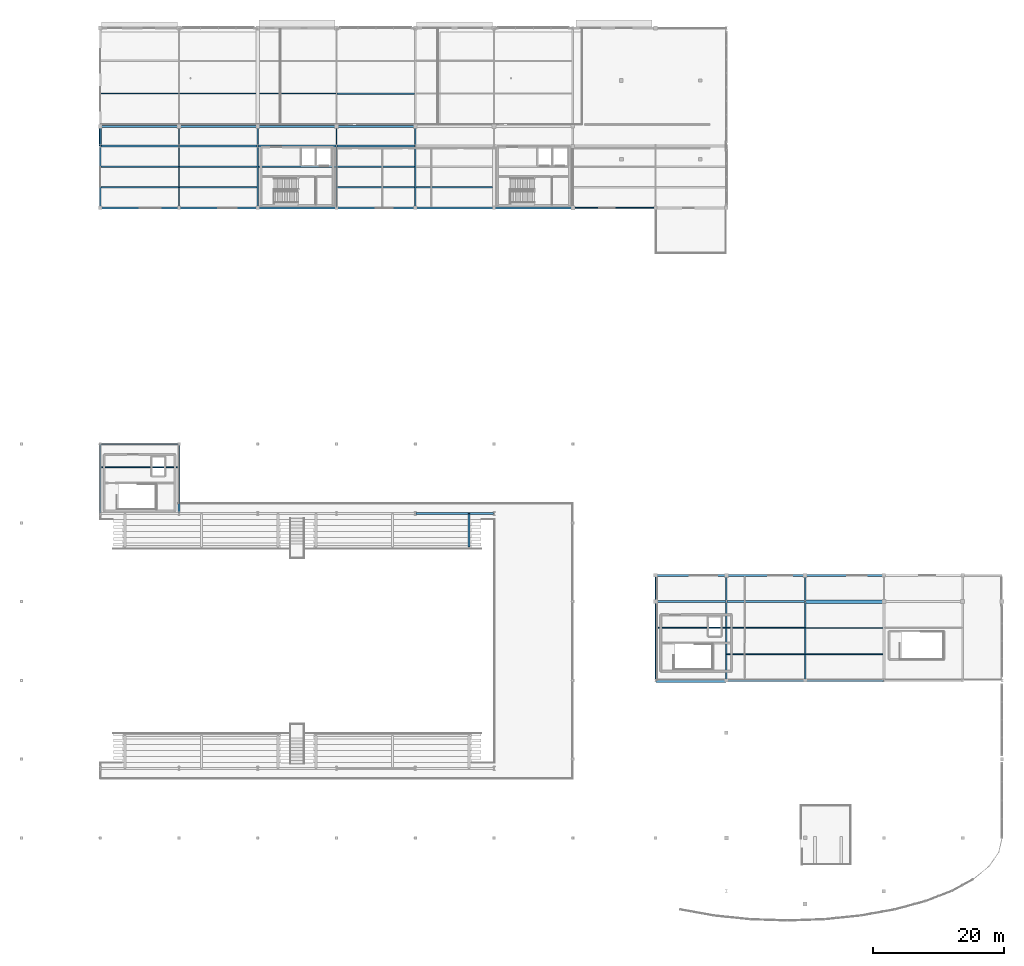
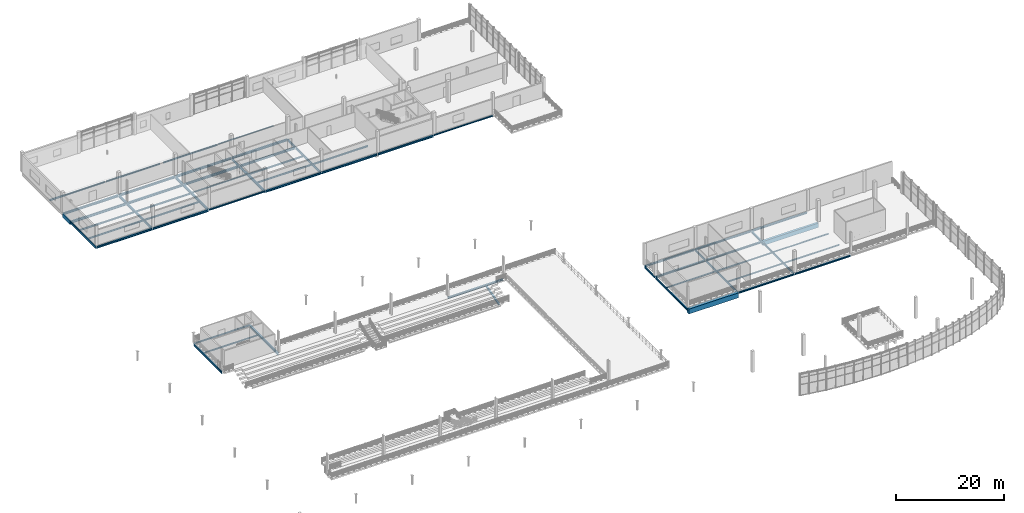
# One storey, part 20 of 52: 63 beams.
"""IFC4 building model written with IfcOpenShell, lengths in metres."""

from ifc_helpers import new_model, si_unit, direction, frame, origin, origin_2d, place, context, subcontext, project, spatial, rectangle, i_section, extrude, material, material_profile, profile_set, type_object, element, save


model = new_model("IFC4")

# Units and contexts
model_context = context("Model", 3, precision=1e-05, world=origin(), true_north=direction((0.0, 1.0)))
body_context = subcontext(model_context, "Body", "Model", "MODEL_VIEW")
ifc_project = project(units=[si_unit("LENGTHUNIT", "METRE"), si_unit("AREAUNIT", "SQUARE_METRE"), si_unit("VOLUMEUNIT", "CUBIC_METRE"), si_unit("PLANEANGLEUNIT", "RADIAN"), si_unit("MASSUNIT", "GRAM", prefix="KILO"), si_unit("THERMODYNAMICTEMPERATUREUNIT", "KELVIN"), si_unit("POWERUNIT", "WATT")], contexts=[model_context])

# Site, building, storey
site_placement = place(None, origin())
site = spatial("IfcSite", under=ifc_project, at=site_placement, CompositionType="ELEMENT")
building_placement = place(site_placement, origin())
building = spatial("IfcBuilding", under=site, at=building_placement, Name="Solmara Park Aquatics Centre", CompositionType="ELEMENT")
storey_placement = place(building_placement, frame((0.0, 0.0, 9.60009765625)))
storey = spatial("IfcBuildingStorey", under=building, at=storey_placement, Name="L02", CompositionType="ELEMENT", Elevation=9.60009765625)

# Beams
ifc_material_1 = material(Name="Glulam Timber GL28h", Category="wood")
ifc_material_profile_1 = material_profile(ifc_material_1, rectangle(XDim=0.239990234375, YDim=0.800048828125, at=origin_2d()), Name="GL28h 240x800")
ifc_profile_set_1 = profile_set([ifc_material_profile_1], Name="Glulam Timber GL28h")
beam_type_1 = type_object("IfcBeamType", Name="STR-BM-GL240x800", PredefinedType="BEAM", material=ifc_profile_set_1)
beam_1_placement = place(storey_placement, frame((24.60009765625, 118.080078125, -0.72021484375), z_axis=(0.0, 1.0, 0.0), x_axis=(-1.0, 0.0, 0.0)))
element("IfcBeam", 1, at=beam_1_placement, inside=storey, type_object=beam_type_1, Name="Girder BM-L02-0413", PredefinedType="BEAM", context=body_context, shape_type="SweptSolid", body=[
    extrude(rectangle(XDim=0.239990234375, YDim=0.800048828125, at=origin_2d()), origin(), (0.0, 0.0, 1.0), 2.83984375),
])
ifc_material_2 = material(Name="Structural Steel S355", Category="steel")
ifc_material_profile_2 = material_profile(ifc_material_2, i_section(OverallWidth=0.300048828125, OverallDepth=0.35009765625, WebThickness=0.010009765625, FlangeThickness=0.017578125, FilletRadius=0.027099609375, at=origin_2d()), Name="HEA 360")
ifc_profile_set_2 = profile_set([ifc_material_profile_2], Name="Structural Steel S355")
beam_type_2 = type_object("IfcBeamType", Name="STR-BM-HEA360", PredefinedType="BEAM", material=ifc_profile_set_2)
beam_2_placement = place(storey_placement, frame((72.679931640625, 62.0, -0.4951171875), z_axis=(1.0, 0.0, 0.0), x_axis=(0.0, 1.0, 0.0)))
element("IfcBeam", 2, at=beam_2_placement, inside=storey, type_object=beam_type_2, Name="Girder BM-L02-0359", PredefinedType="BEAM", context=body_context, shape_type="SweptSolid", body=[
    extrude(i_section(OverallWidth=0.300048828125, OverallDepth=0.35009765625, WebThickness=0.010009765625, FlangeThickness=0.017578125, FilletRadius=0.027099609375, at=origin_2d()), origin(), (0.0, 0.0, 1.0), 11.840087890625),
])
for number, where, z_axis, x_axis, name in (
    (3, (120.080078125, 36.60009765625, -0.4951171875), (1.0, 0.0, 0.0), (0.0, 1.0, 0.0), "Girder BM-L02-0361"),
    (4, (132.080078125, 36.60009765625, -0.4951171875), (1.0, 0.0, 0.0), (0.0, 1.0, 0.0), "Girder BM-L02-0362"),
):
    element("IfcBeam", number, at=place(storey_placement, frame(where, z_axis=z_axis, x_axis=x_axis)), inside=storey, type_object=beam_type_2, Name=name, PredefinedType="BEAM", context=body_context, shape_type="SweptSolid", body=[
        extrude(i_section(OverallWidth=0.300048828125, OverallDepth=0.35009765625, WebThickness=0.010009765625, FlangeThickness=0.017578125, FilletRadius=0.027099609375, at=origin_2d()), origin(), (0.0, 0.0, 1.0), 11.83984375),
    ])
beam_3_placement = place(storey_placement, frame((109.280029296875, 48.60009765625, -0.4951171875), z_axis=(1.0, 0.0, 0.0), x_axis=(0.0, 1.0, 0.0)))
element("IfcBeam", 5, at=beam_3_placement, inside=storey, type_object=beam_type_2, Name="Girder BM-L02-0364", PredefinedType="BEAM", context=body_context, shape_type="SweptSolid", body=[
    extrude(i_section(OverallWidth=0.300048828125, OverallDepth=0.35009765625, WebThickness=0.010009765625, FlangeThickness=0.017578125, FilletRadius=0.027099609375, at=origin_2d()), origin(), (0.0, 0.0, 1.0), 10.639892578125),
])
beam_4_placement = place(storey_placement, frame((120.080078125, 48.60009765625, -0.4951171875), z_axis=(1.0, 0.0, 0.0), x_axis=(0.0, 1.0, 0.0)))
element("IfcBeam", 6, at=beam_4_placement, inside=storey, type_object=beam_type_2, Name="Girder BM-L02-0365", PredefinedType="BEAM", context=body_context, shape_type="SweptSolid", body=[
    extrude(i_section(OverallWidth=0.300048828125, OverallDepth=0.35009765625, WebThickness=0.010009765625, FlangeThickness=0.017578125, FilletRadius=0.027099609375, at=origin_2d()), origin(), (0.0, 0.0, 1.0), 11.83984375),
])
beam_5_placement = place(storey_placement, frame((109.280029296875, 52.60009765625, -0.4951171875), z_axis=(1.0, 0.0, 0.0), x_axis=(0.0, 1.0, 0.0)))
element("IfcBeam", 7, at=beam_5_placement, inside=storey, type_object=beam_type_2, Name="Girder BM-L02-0368", PredefinedType="BEAM", context=body_context, shape_type="SweptSolid", body=[
    extrude(i_section(OverallWidth=0.300048828125, OverallDepth=0.35009765625, WebThickness=0.010009765625, FlangeThickness=0.017578125, FilletRadius=0.027099609375, at=origin_2d()), origin(), (0.0, 0.0, 1.0), 10.639892578125),
])
for number, where, z_axis, x_axis, name in (
    (8, (120.080078125, 52.60009765625, -0.4951171875), (1.0, 0.0, 0.0), (0.0, 1.0, 0.0), "Girder BM-L02-0369"),
    (9, (132.080078125, 52.60009765625, -0.4951171875), (1.0, 0.0, 0.0), (0.0, 1.0, 0.0), "Girder BM-L02-0370"),
):
    element("IfcBeam", number, at=place(storey_placement, frame(where, z_axis=z_axis, x_axis=x_axis)), inside=storey, type_object=beam_type_2, Name=name, PredefinedType="BEAM", context=body_context, shape_type="SweptSolid", body=[
        extrude(i_section(OverallWidth=0.300048828125, OverallDepth=0.35009765625, WebThickness=0.010009765625, FlangeThickness=0.017578125, FilletRadius=0.027099609375, at=origin_2d()), origin(), (0.0, 0.0, 1.0), 11.83984375),
    ])
ifc_material_profile_3 = material_profile(ifc_material_2, i_section(OverallWidth=0.300048828125, OverallDepth=0.489990234375, WebThickness=0.011962890625, FlangeThickness=0.02294921875, FilletRadius=0.027099609375, at=origin_2d()), Name="HEA 500")
ifc_profile_set_3 = profile_set([ifc_material_profile_3], Name="Structural Steel S355")
beam_type_3 = type_object("IfcBeamType", Name="STR-BM-HEA500", PredefinedType="BEAM", material=ifc_profile_set_3)
beam_6_placement = place(storey_placement, frame((36.60009765625, 62.080078125, -0.565185546875), z_axis=(0.0, 1.0, 0.0), x_axis=(-1.0, 0.0, 0.0)))
element("IfcBeam", 10, at=beam_6_placement, inside=storey, type_object=beam_type_3, Name="Girder BM-L02-0350", PredefinedType="BEAM", context=body_context, shape_type="SweptSolid", body=[
    extrude(i_section(OverallWidth=0.300048828125, OverallDepth=0.489990234375, WebThickness=0.011962890625, FlangeThickness=0.02294921875, FilletRadius=0.027099609375, at=origin_2d()), origin(), (0.0, 0.0, 1.0), 10.43994140625),
])
beam_7_placement = place(storey_placement, frame((24.679931640625, 118.0, -0.565185546875), z_axis=(1.0, 0.0, 0.0), x_axis=(0.0, 1.0, 0.0)))
element("IfcBeam", 11, at=beam_7_placement, inside=storey, type_object=beam_type_3, Name="Girder BM-L02-0390", PredefinedType="BEAM", context=body_context, shape_type="SweptSolid", body=[
    extrude(i_section(OverallWidth=0.300048828125, OverallDepth=0.489990234375, WebThickness=0.011962890625, FlangeThickness=0.02294921875, FilletRadius=0.027099609375, at=origin_2d()), origin(), (0.0, 0.0, 1.0), 11.840087890625),
])
ifc_material_profile_4 = material_profile(ifc_material_2, i_section(OverallWidth=0.300048828125, OverallDepth=0.449951171875, WebThickness=0.013916015625, FlangeThickness=0.02587890625, FilletRadius=0.027099609375, at=origin_2d()), Name="HEB 450")
ifc_profile_set_4 = profile_set([ifc_material_profile_4], Name="Structural Steel S355")
beam_type_4 = type_object("IfcBeamType", Name="STR-BM-HEB450", PredefinedType="BEAM", material=ifc_profile_set_4)
for number, where, z_axis, x_axis, name in (
    (12, (24.679931640625, 108.60009765625, -0.545166015625), (1.0, 0.0, 0.0), (0.0, 1.0, 0.0), "Girder BM-L02-0382"),
    (13, (36.679931640625, 108.60009765625, -0.545166015625), (1.0, 0.0, 0.0), (0.0, 1.0, 0.0), "Girder BM-L02-0383"),
    (14, (60.679931640625, 108.60009765625, -0.545166015625), (1.0, 0.0, 0.0), (0.0, 1.0, 0.0), "Girder BM-L02-0385"),
    (15, (72.679931640625, 108.60009765625, -0.545166015625), (1.0, 0.0, 0.0), (0.0, 1.0, 0.0), "Girder BM-L02-0386"),
    (16, (84.679931640625, 108.60009765625, -0.545166015625), (1.0, 0.0, 0.0), (0.0, 1.0, 0.0), "Girder BM-L02-0387"),
    (17, (36.679931640625, 118.0, -0.545166015625), (1.0, 0.0, 0.0), (0.0, 1.0, 0.0), "Girder BM-L02-0391"),
    (18, (48.679931640625, 118.0, -0.545166015625), (1.0, 0.0, 0.0), (0.0, 1.0, 0.0), "Girder BM-L02-0392"),
    (19, (60.679931640625, 118.0, -0.545166015625), (1.0, 0.0, 0.0), (0.0, 1.0, 0.0), "Girder BM-L02-0393"),
    (20, (24.679931640625, 121.0, -0.545166015625), (1.0, 0.0, 0.0), (0.0, 1.0, 0.0), "Girder BM-L02-0398"),
    (21, (36.679931640625, 121.0, -0.545166015625), (1.0, 0.0, 0.0), (0.0, 1.0, 0.0), "Girder BM-L02-0399"),
    (22, (48.679931640625, 121.0, -0.545166015625), (1.0, 0.0, 0.0), (0.0, 1.0, 0.0), "Girder BM-L02-0400"),
    (23, (60.679931640625, 121.0, -0.545166015625), (1.0, 0.0, 0.0), (0.0, 1.0, 0.0), "Girder BM-L02-0401"),
):
    element("IfcBeam", number, at=place(storey_placement, frame(where, z_axis=z_axis, x_axis=x_axis)), inside=storey, type_object=beam_type_4, Name=name, PredefinedType="BEAM", context=body_context, shape_type="SweptSolid", body=[
        extrude(i_section(OverallWidth=0.300048828125, OverallDepth=0.449951171875, WebThickness=0.013916015625, FlangeThickness=0.02587890625, FilletRadius=0.027099609375, at=origin_2d()), origin(), (0.0, 0.0, 1.0), 11.840087890625),
    ])
ifc_material_profile_5 = material_profile(ifc_material_2, i_section(OverallWidth=0.18994140625, OverallDepth=0.449951171875, WebThickness=0.009521484375, FlangeThickness=0.0146484375, FilletRadius=0.02099609375, at=origin_2d()), Name="IPE 450")
ifc_profile_set_5 = profile_set([ifc_material_profile_5], Name="Structural Steel S355")
beam_type_5 = type_object("IfcBeamType", Name="STR-BM-IPE450", PredefinedType="BEAM", material=ifc_profile_set_5)
beam_8_placement = place(storey_placement, frame((109.199951171875, 36.679931640625, -0.545166015625), z_axis=(0.0, 1.0, 0.0), x_axis=(-1.0, 0.0, 0.0)))
element("IfcBeam", 24, at=beam_8_placement, inside=storey, type_object=beam_type_5, Name="Girder BM-L02-0372", PredefinedType="BEAM", context=body_context, shape_type="SweptSolid", body=[
    extrude(i_section(OverallWidth=0.18994140625, OverallDepth=0.449951171875, WebThickness=0.009521484375, FlangeThickness=0.0146484375, FilletRadius=0.02099609375, at=origin_2d()), origin(), (0.0, 0.0, 1.0), 11.840087890625),
])
beam_9_placement = place(storey_placement, frame((109.199951171875, 48.679931640625, -0.545166015625), z_axis=(0.0, 1.0, 0.0), x_axis=(-1.0, 0.0, 0.0)))
element("IfcBeam", 25, at=beam_9_placement, inside=storey, type_object=beam_type_5, Name="Girder BM-L02-0373", PredefinedType="BEAM", context=body_context, shape_type="SweptSolid", body=[
    extrude(i_section(OverallWidth=0.18994140625, OverallDepth=0.449951171875, WebThickness=0.009521484375, FlangeThickness=0.0146484375, FilletRadius=0.02099609375, at=origin_2d()), origin(), (0.0, 0.0, 1.0), 3.840087890625),
])
beam_10_placement = place(storey_placement, frame((120.0, 36.679931640625, -0.545166015625), z_axis=(0.0, 1.0, 0.0), x_axis=(-1.0, 0.0, 0.0)))
element("IfcBeam", 26, at=beam_10_placement, inside=storey, type_object=beam_type_5, Name="Girder BM-L02-0374", PredefinedType="BEAM", context=body_context, shape_type="SweptSolid", body=[
    extrude(i_section(OverallWidth=0.18994140625, OverallDepth=0.449951171875, WebThickness=0.009521484375, FlangeThickness=0.0146484375, FilletRadius=0.02099609375, at=origin_2d()), origin(), (0.0, 0.0, 1.0), 11.840087890625),
])
beam_11_placement = place(storey_placement, frame((120.0, 48.679931640625, -0.545166015625), z_axis=(0.0, 1.0, 0.0), x_axis=(-1.0, 0.0, 0.0)))
element("IfcBeam", 27, at=beam_11_placement, inside=storey, type_object=beam_type_5, Name="Girder BM-L02-0375", PredefinedType="BEAM", context=body_context, shape_type="SweptSolid", body=[
    extrude(i_section(OverallWidth=0.18994140625, OverallDepth=0.449951171875, WebThickness=0.009521484375, FlangeThickness=0.0146484375, FilletRadius=0.02099609375, at=origin_2d()), origin(), (0.0, 0.0, 1.0), 3.840087890625),
])
beam_12_placement = place(storey_placement, frame((132.0, 36.679931640625, -0.545166015625), z_axis=(0.0, 1.0, 0.0), x_axis=(-1.0, 0.0, 0.0)))
element("IfcBeam", 28, at=beam_12_placement, inside=storey, type_object=beam_type_5, Name="Girder BM-L02-0376", PredefinedType="BEAM", context=body_context, shape_type="SweptSolid", body=[
    extrude(i_section(OverallWidth=0.18994140625, OverallDepth=0.449951171875, WebThickness=0.009521484375, FlangeThickness=0.0146484375, FilletRadius=0.02099609375, at=origin_2d()), origin(), (0.0, 0.0, 1.0), 11.840087890625),
])
beam_13_placement = place(storey_placement, frame((132.0, 48.679931640625, -0.545166015625), z_axis=(0.0, 1.0, 0.0), x_axis=(-1.0, 0.0, 0.0)))
element("IfcBeam", 29, at=beam_13_placement, inside=storey, type_object=beam_type_5, Name="Girder BM-L02-0377", PredefinedType="BEAM", context=body_context, shape_type="SweptSolid", body=[
    extrude(i_section(OverallWidth=0.18994140625, OverallDepth=0.449951171875, WebThickness=0.009521484375, FlangeThickness=0.0146484375, FilletRadius=0.02099609375, at=origin_2d()), origin(), (0.0, 0.0, 1.0), 3.840087890625),
])
ifc_material_profile_6 = material_profile(ifc_material_2, i_section(OverallWidth=0.199951171875, OverallDepth=0.5, WebThickness=0.01025390625, FlangeThickness=0.01611328125, FilletRadius=0.02099609375, at=origin_2d()), Name="IPE 500")
ifc_profile_set_6 = profile_set([ifc_material_profile_6], Name="Structural Steel S355")
beam_type_6 = type_object("IfcBeamType", Name="STR-BM-IPE500", PredefinedType="BEAM", material=ifc_profile_set_6)
beam_14_placement = place(storey_placement, frame((24.60009765625, 62.080078125, -0.570068359375), z_axis=(0.0, 1.0, 0.0), x_axis=(-1.0, 0.0, 0.0)))
element("IfcBeam", 30, at=beam_14_placement, inside=storey, type_object=beam_type_6, Name="Girder BM-L02-0349", PredefinedType="BEAM", context=body_context, shape_type="SweptSolid", body=[
    extrude(i_section(OverallWidth=0.199951171875, OverallDepth=0.5, WebThickness=0.01025390625, FlangeThickness=0.01611328125, FilletRadius=0.02099609375, at=origin_2d()), origin(), (0.0, 0.0, 1.0), 10.43994140625),
])
ifc_material_profile_7 = material_profile(ifc_material_2, i_section(OverallWidth=0.2099609375, OverallDepth=0.550048828125, WebThickness=0.010986328125, FlangeThickness=0.01708984375, FilletRadius=0.02392578125, at=origin_2d()), Name="IPE 550")
ifc_profile_set_7 = profile_set([ifc_material_profile_7], Name="Structural Steel S355")
beam_type_7 = type_object("IfcBeamType", Name="STR-BM-IPE550", PredefinedType="BEAM", material=ifc_profile_set_7)
for number, where, z_axis, x_axis, name in (
    (31, (24.60009765625, 108.679931640625, -0.59521484375), (0.0, 1.0, 0.0), (-1.0, 0.0, 0.0), "Girder BM-L02-0412"),
    (32, (36.60009765625, 108.679931640625, -0.59521484375), (0.0, 1.0, 0.0), (-1.0, 0.0, 0.0), "Girder BM-L02-0415"),
):
    element("IfcBeam", number, at=place(storey_placement, frame(where, z_axis=z_axis, x_axis=x_axis)), inside=storey, type_object=beam_type_7, Name=name, PredefinedType="BEAM", context=body_context, shape_type="SweptSolid", body=[
        extrude(i_section(OverallWidth=0.2099609375, OverallDepth=0.550048828125, WebThickness=0.010986328125, FlangeThickness=0.01708984375, FilletRadius=0.02392578125, at=origin_2d()), origin(), (0.0, 0.0, 1.0), 9.239990234375),
    ])
beam_15_placement = place(storey_placement, frame((36.60009765625, 118.080078125, -0.59521484375), z_axis=(0.0, 1.0, 0.0), x_axis=(-1.0, 0.0, 0.0)))
element("IfcBeam", 33, at=beam_15_placement, inside=storey, type_object=beam_type_7, Name="Girder BM-L02-0416", PredefinedType="BEAM", context=body_context, shape_type="SweptSolid", body=[
    extrude(i_section(OverallWidth=0.2099609375, OverallDepth=0.550048828125, WebThickness=0.010986328125, FlangeThickness=0.01708984375, FilletRadius=0.02392578125, at=origin_2d()), origin(), (0.0, 0.0, 1.0), 2.83984375),
])
beam_16_placement = place(storey_placement, frame((48.60009765625, 108.679931640625, -0.59521484375), z_axis=(0.0, 1.0, 0.0), x_axis=(-1.0, 0.0, 0.0)))
element("IfcBeam", 34, at=beam_16_placement, inside=storey, type_object=beam_type_7, Name="Girder BM-L02-0418", PredefinedType="BEAM", context=body_context, shape_type="SweptSolid", body=[
    extrude(i_section(OverallWidth=0.2099609375, OverallDepth=0.550048828125, WebThickness=0.010986328125, FlangeThickness=0.01708984375, FilletRadius=0.02392578125, at=origin_2d()), origin(), (0.0, 0.0, 1.0), 9.239990234375),
])
beam_17_placement = place(storey_placement, frame((48.60009765625, 118.080078125, -0.59521484375), z_axis=(0.0, 1.0, 0.0), x_axis=(-1.0, 0.0, 0.0)))
element("IfcBeam", 35, at=beam_17_placement, inside=storey, type_object=beam_type_7, Name="Girder BM-L02-0419", PredefinedType="BEAM", context=body_context, shape_type="SweptSolid", body=[
    extrude(i_section(OverallWidth=0.2099609375, OverallDepth=0.550048828125, WebThickness=0.010986328125, FlangeThickness=0.01708984375, FilletRadius=0.02392578125, at=origin_2d()), origin(), (0.0, 0.0, 1.0), 2.83984375),
])
beam_18_placement = place(storey_placement, frame((60.60009765625, 108.679931640625, -0.59521484375), z_axis=(0.0, 1.0, 0.0), x_axis=(-1.0, 0.0, 0.0)))
element("IfcBeam", 36, at=beam_18_placement, inside=storey, type_object=beam_type_7, Name="Girder BM-L02-0421", PredefinedType="BEAM", context=body_context, shape_type="SweptSolid", body=[
    extrude(i_section(OverallWidth=0.2099609375, OverallDepth=0.550048828125, WebThickness=0.010986328125, FlangeThickness=0.01708984375, FilletRadius=0.02392578125, at=origin_2d()), origin(), (0.0, 0.0, 1.0), 9.239990234375),
])
beam_19_placement = place(storey_placement, frame((60.60009765625, 118.080078125, -0.59521484375), z_axis=(0.0, 1.0, 0.0), x_axis=(-1.0, 0.0, 0.0)))
element("IfcBeam", 37, at=beam_19_placement, inside=storey, type_object=beam_type_7, Name="Girder BM-L02-0422", PredefinedType="BEAM", context=body_context, shape_type="SweptSolid", body=[
    extrude(i_section(OverallWidth=0.2099609375, OverallDepth=0.550048828125, WebThickness=0.010986328125, FlangeThickness=0.01708984375, FilletRadius=0.02392578125, at=origin_2d()), origin(), (0.0, 0.0, 1.0), 2.83984375),
])
beam_20_placement = place(storey_placement, frame((72.60009765625, 108.679931640625, -0.59521484375), z_axis=(0.0, 1.0, 0.0), x_axis=(-1.0, 0.0, 0.0)))
element("IfcBeam", 38, at=beam_20_placement, inside=storey, type_object=beam_type_7, Name="Girder BM-L02-0424", PredefinedType="BEAM", context=body_context, shape_type="SweptSolid", body=[
    extrude(i_section(OverallWidth=0.2099609375, OverallDepth=0.550048828125, WebThickness=0.010986328125, FlangeThickness=0.01708984375, FilletRadius=0.02392578125, at=origin_2d()), origin(), (0.0, 0.0, 1.0), 9.239990234375),
])
beam_21_placement = place(storey_placement, frame((72.60009765625, 118.080078125, -0.59521484375), z_axis=(0.0, 1.0, 0.0), x_axis=(-1.0, 0.0, 0.0)))
element("IfcBeam", 39, at=beam_21_placement, inside=storey, type_object=beam_type_7, Name="Girder BM-L02-0425", PredefinedType="BEAM", context=body_context, shape_type="SweptSolid", body=[
    extrude(i_section(OverallWidth=0.2099609375, OverallDepth=0.550048828125, WebThickness=0.010986328125, FlangeThickness=0.01708984375, FilletRadius=0.02392578125, at=origin_2d()), origin(), (0.0, 0.0, 1.0), 2.83984375),
])
ifc_material_3 = material(Name="Concrete C40/50", Category="concrete")
ifc_material_profile_8 = material_profile(ifc_material_3, rectangle(XDim=0.5, YDim=0.949951171875, at=origin_2d()), Name="RC 500x950")
ifc_profile_set_8 = profile_set([ifc_material_profile_8], Name="Concrete C40/50")
beam_type_8 = type_object("IfcBeamType", Name="STR-BM-RC500x950", PredefinedType="BEAM", material=ifc_profile_set_8)
beam_22_placement = place(storey_placement, frame((132.080078125, 48.60009765625, -0.795166015625), z_axis=(1.0, 0.0, 0.0), x_axis=(0.0, 1.0, 0.0)))
element("IfcBeam", 40, at=beam_22_placement, inside=storey, type_object=beam_type_8, Name="Girder BM-L02-0366", PredefinedType="BEAM", context=body_context, shape_type="SweptSolid", body=[
    extrude(rectangle(XDim=0.5, YDim=0.949951171875, at=origin_2d()), origin(), (0.0, 0.0, 1.0), 11.83984375),
])
ifc_material_profile_9 = material_profile(ifc_material_3, rectangle(XDim=0.60009765625, YDim=1.10009765625, at=origin_2d()), Name="RC 600x1100")
ifc_profile_set_9 = profile_set([ifc_material_profile_9], Name="Concrete C40/50")
beam_type_9 = type_object("IfcBeamType", Name="STR-BM-RC600x1100", PredefinedType="BEAM", material=ifc_profile_set_9)
beam_23_placement = place(storey_placement, frame((109.280029296875, 36.60009765625, -0.8701171875), z_axis=(1.0, 0.0, 0.0), x_axis=(0.0, 1.0, 0.0)))
element("IfcBeam", 41, at=beam_23_placement, inside=storey, type_object=beam_type_9, Name="Girder BM-L02-0360", PredefinedType="BEAM", context=body_context, shape_type="SweptSolid", body=[
    extrude(rectangle(XDim=0.60009765625, YDim=1.10009765625, at=origin_2d()), origin(), (0.0, 0.0, 1.0), 10.639892578125),
])
ifc_material_profile_10 = material_profile(ifc_material_2, i_section(OverallWidth=0.199951171875, OverallDepth=0.18994140625, WebThickness=0.006591796875, FlangeThickness=0.010009765625, FilletRadius=0.01806640625, at=origin_2d()), Name="HEA 200")
ifc_profile_set_10 = profile_set([ifc_material_profile_10], Name="Structural Steel S355")
beam_type_10 = type_object("IfcBeamType", Name="STR-JST-HEA200", PredefinedType="JOIST", material=ifc_profile_set_10)
beam_24_placement = place(storey_placement, frame((60.705078125, 126.0, -0.4150390625), z_axis=(1.0, 0.0, 0.0), x_axis=(0.0, 1.0, 0.0)))
element("IfcBeam", 42, at=beam_24_placement, inside=storey, type_object=beam_type_10, Name="Floor Joist JST-L02-0229", PredefinedType="JOIST", context=body_context, shape_type="SweptSolid", body=[
    extrude(i_section(OverallWidth=0.199951171875, OverallDepth=0.18994140625, WebThickness=0.006591796875, FlangeThickness=0.010009765625, FilletRadius=0.01806640625, at=origin_2d()), origin(), (0.0, 0.0, 1.0), 11.7900390625),
])
ifc_material_profile_11 = material_profile(ifc_material_2, i_section(OverallWidth=0.219970703125, OverallDepth=0.2099609375, WebThickness=0.007080078125, FlangeThickness=0.010986328125, FilletRadius=0.01806640625, at=origin_2d()), Name="HEA 220")
ifc_profile_set_11 = profile_set([ifc_material_profile_11], Name="Structural Steel S355")
beam_type_11 = type_object("IfcBeamType", Name="STR-JST-HEA220", PredefinedType="JOIST", material=ifc_profile_set_11)
beam_25_placement = place(storey_placement, frame((48.705078125, 114.86669921875, -0.425048828125), z_axis=(1.0, 0.0, 0.0), x_axis=(0.0, 1.0, 0.0)))
element("IfcBeam", 43, at=beam_25_placement, inside=storey, type_object=beam_type_11, Name="Floor Joist JST-L02-0224", PredefinedType="JOIST", context=body_context, shape_type="SweptSolid", body=[
    extrude(i_section(OverallWidth=0.219970703125, OverallDepth=0.2099609375, WebThickness=0.007080078125, FlangeThickness=0.010986328125, FilletRadius=0.01806640625, at=origin_2d()), origin(), (0.0, 0.0, 1.0), 11.7900390625),
])
ifc_material_profile_12 = material_profile(ifc_material_2, i_section(OverallWidth=0.10009765625, OverallDepth=0.199951171875, WebThickness=0.005615234375, FlangeThickness=0.008544921875, FilletRadius=0.011962890625, at=origin_2d()), Name="IPE 200")
ifc_profile_set_12 = profile_set([ifc_material_profile_12], Name="Structural Steel S355")
beam_type_12 = type_object("IfcBeamType", Name="STR-JST-IPE200", PredefinedType="JOIST", material=ifc_profile_set_12)
beam_26_placement = place(storey_placement, frame((132.094970703125, 44.60009765625, -0.420166015625), z_axis=(1.0, 0.0, 0.0), x_axis=(0.0, 1.0, 0.0)))
element("IfcBeam", 44, at=beam_26_placement, inside=storey, type_object=beam_type_12, Name="Floor Joist JST-L02-0214", PredefinedType="JOIST", context=body_context, shape_type="SweptSolid", body=[
    extrude(i_section(OverallWidth=0.10009765625, OverallDepth=0.199951171875, WebThickness=0.005615234375, FlangeThickness=0.008544921875, FilletRadius=0.011962890625, at=origin_2d()), origin(), (0.0, 0.0, 1.0), 11.76513671875),
])
ifc_material_profile_13 = material_profile(ifc_material_2, i_section(OverallWidth=0.110107421875, OverallDepth=0.219970703125, WebThickness=0.005859375, FlangeThickness=0.00927734375, FilletRadius=0.011962890625, at=origin_2d()), Name="IPE 220")
ifc_profile_set_13 = profile_set([ifc_material_profile_13], Name="Structural Steel S355")
beam_type_13 = type_object("IfcBeamType", Name="STR-JST-IPE220", PredefinedType="JOIST", material=ifc_profile_set_13)
beam_27_placement = place(storey_placement, frame((24.699951171875, 69.066650390625, -0.43017578125), z_axis=(1.0, 0.0, 0.0), x_axis=(0.0, 1.0, 0.0)))
element("IfcBeam", 45, at=beam_27_placement, inside=storey, type_object=beam_type_13, Name="Floor Joist JST-L02-0209", PredefinedType="JOIST", context=body_context, shape_type="SweptSolid", body=[
    extrude(i_section(OverallWidth=0.110107421875, OverallDepth=0.219970703125, WebThickness=0.005859375, FlangeThickness=0.00927734375, FilletRadius=0.011962890625, at=origin_2d()), origin(), (0.0, 0.0, 1.0), 11.75),
])
ifc_material_profile_14 = material_profile(ifc_material_2, i_section(OverallWidth=0.14990234375, OverallDepth=0.300048828125, WebThickness=0.007080078125, FlangeThickness=0.0107421875, FilletRadius=0.014892578125, at=origin_2d()), Name="IPE 300")
ifc_profile_set_14 = profile_set([ifc_material_profile_14], Name="Structural Steel S355")
beam_type_14 = type_object("IfcBeamType", Name="STR-JST-IPE300", PredefinedType="JOIST", material=ifc_profile_set_14)
beam_28_placement = place(storey_placement, frame((109.294921875, 44.60009765625, -0.47021484375), z_axis=(1.0, 0.0, 0.0), x_axis=(0.0, 1.0, 0.0)))
element("IfcBeam", 46, at=beam_28_placement, inside=storey, type_object=beam_type_14, Name="Floor Joist JST-L02-0210", PredefinedType="JOIST", context=body_context, shape_type="SweptSolid", body=[
    extrude(i_section(OverallWidth=0.14990234375, OverallDepth=0.300048828125, WebThickness=0.007080078125, FlangeThickness=0.0107421875, FilletRadius=0.014892578125, at=origin_2d()), origin(), (0.0, 0.0, 1.0), 10.610107421875),
])
for number, where, z_axis, x_axis, name in (
    (47, (120.094970703125, 40.60009765625, -0.47021484375), (1.0, 0.0, 0.0), (0.0, 1.0, 0.0), "Floor Joist JST-L02-0211"),
    (48, (120.094970703125, 44.60009765625, -0.47021484375), (1.0, 0.0, 0.0), (0.0, 1.0, 0.0), "Floor Joist JST-L02-0212"),
):
    element("IfcBeam", number, at=place(storey_placement, frame(where, z_axis=z_axis, x_axis=x_axis)), inside=storey, type_object=beam_type_14, Name=name, PredefinedType="JOIST", context=body_context, shape_type="SweptSolid", body=[
        extrude(i_section(OverallWidth=0.14990234375, OverallDepth=0.300048828125, WebThickness=0.007080078125, FlangeThickness=0.0107421875, FilletRadius=0.014892578125, at=origin_2d()), origin(), (0.0, 0.0, 1.0), 11.81005859375),
    ])
beam_29_placement = place(storey_placement, frame((132.094970703125, 40.60009765625, -0.47021484375), z_axis=(1.0, 0.0, 0.0), x_axis=(0.0, 1.0, 0.0)))
element("IfcBeam", 49, at=beam_29_placement, inside=storey, type_object=beam_type_14, Name="Floor Joist JST-L02-0213", PredefinedType="JOIST", context=body_context, shape_type="SweptSolid", body=[
    extrude(i_section(OverallWidth=0.14990234375, OverallDepth=0.300048828125, WebThickness=0.007080078125, FlangeThickness=0.0107421875, FilletRadius=0.014892578125, at=origin_2d()), origin(), (0.0, 0.0, 1.0), 11.76513671875),
])
ifc_material_profile_15 = material_profile(ifc_material_2, i_section(OverallWidth=0.169921875, OverallDepth=0.360107421875, WebThickness=0.008056640625, FlangeThickness=0.0126953125, FilletRadius=0.01806640625, at=origin_2d()), Name="IPE 360")
ifc_profile_set_15 = profile_set([ifc_material_profile_15], Name="Structural Steel S355")
beam_type_15 = type_object("IfcBeamType", Name="STR-JST-IPE360", PredefinedType="JOIST", material=ifc_profile_set_15)
for number, where, z_axis, x_axis, name in (
    (50, (24.705078125, 111.7333984375, -0.5), (1.0, 0.0, 0.0), (0.0, 1.0, 0.0), "Floor Joist JST-L02-0216"),
    (51, (24.705078125, 114.86669921875, -0.5), (1.0, 0.0, 0.0), (0.0, 1.0, 0.0), "Floor Joist JST-L02-0217"),
    (52, (24.705078125, 126.0, -0.5), (1.0, 0.0, 0.0), (0.0, 1.0, 0.0), "Floor Joist JST-L02-0218"),
    (53, (36.705078125, 111.7333984375, -0.5), (1.0, 0.0, 0.0), (0.0, 1.0, 0.0), "Floor Joist JST-L02-0220"),
    (54, (36.705078125, 114.86669921875, -0.5), (1.0, 0.0, 0.0), (0.0, 1.0, 0.0), "Floor Joist JST-L02-0221"),
):
    element("IfcBeam", number, at=place(storey_placement, frame(where, z_axis=z_axis, x_axis=x_axis)), inside=storey, type_object=beam_type_15, Name=name, PredefinedType="JOIST", context=body_context, shape_type="SweptSolid", body=[
        extrude(i_section(OverallWidth=0.169921875, OverallDepth=0.360107421875, WebThickness=0.008056640625, FlangeThickness=0.0126953125, FilletRadius=0.01806640625, at=origin_2d()), origin(), (0.0, 0.0, 1.0), 11.7900390625),
    ])
beam_30_placement = place(storey_placement, frame((36.705078125, 126.0, -0.5), z_axis=(1.0, 0.0, 0.0), x_axis=(0.0, 1.0, 0.0)))
element("IfcBeam", 55, at=beam_30_placement, inside=storey, type_object=beam_type_15, Name="Floor Joist JST-L02-0222", PredefinedType="JOIST", context=body_context, shape_type="SweptSolid", body=[
    extrude(i_section(OverallWidth=0.169921875, OverallDepth=0.360107421875, WebThickness=0.008056640625, FlangeThickness=0.0126953125, FilletRadius=0.01806640625, at=origin_2d()), origin(), (0.0, 0.0, 1.0), 11.594970703125),
])
beam_31_placement = place(storey_placement, frame((48.89990234375, 126.0, -0.5), z_axis=(1.0, 0.0, 0.0), x_axis=(0.0, 1.0, 0.0)))
element("IfcBeam", 56, at=beam_31_placement, inside=storey, type_object=beam_type_15, Name="Floor Joist JST-L02-0225", PredefinedType="JOIST", context=body_context, shape_type="SweptSolid", body=[
    extrude(i_section(OverallWidth=0.169921875, OverallDepth=0.360107421875, WebThickness=0.008056640625, FlangeThickness=0.0126953125, FilletRadius=0.01806640625, at=origin_2d()), origin(), (0.0, 0.0, 1.0), 11.59521484375),
])
for number, where, z_axis, x_axis, name in (
    (57, (60.705078125, 111.7333984375, -0.5), (1.0, 0.0, 0.0), (0.0, 1.0, 0.0), "Floor Joist JST-L02-0227"),
    (58, (60.705078125, 114.86669921875, -0.5), (1.0, 0.0, 0.0), (0.0, 1.0, 0.0), "Floor Joist JST-L02-0228"),
):
    element("IfcBeam", number, at=place(storey_placement, frame(where, z_axis=z_axis, x_axis=x_axis)), inside=storey, type_object=beam_type_15, Name=name, PredefinedType="JOIST", context=body_context, shape_type="SweptSolid", body=[
        extrude(i_section(OverallWidth=0.169921875, OverallDepth=0.360107421875, WebThickness=0.008056640625, FlangeThickness=0.0126953125, FilletRadius=0.01806640625, at=origin_2d()), origin(), (0.0, 0.0, 1.0), 11.7900390625),
    ])
beam_32_placement = place(storey_placement, frame((72.705078125, 111.7333984375, -0.5), z_axis=(1.0, 0.0, 0.0), x_axis=(0.0, 1.0, 0.0)))
element("IfcBeam", 59, at=beam_32_placement, inside=storey, type_object=beam_type_15, Name="Floor Joist JST-L02-0231", PredefinedType="JOIST", context=body_context, shape_type="SweptSolid", body=[
    extrude(i_section(OverallWidth=0.169921875, OverallDepth=0.360107421875, WebThickness=0.008056640625, FlangeThickness=0.0126953125, FilletRadius=0.01806640625, at=origin_2d()), origin(), (0.0, 0.0, 1.0), 11.64501953125),
])
ifc_material_profile_16 = material_profile(ifc_material_2, i_section(OverallWidth=0.300048828125, OverallDepth=0.300048828125, WebThickness=0.010986328125, FlangeThickness=0.01904296875, FilletRadius=0.027099609375, at=origin_2d()), Name="HEB 300")
ifc_profile_set_16 = profile_set([ifc_material_profile_16], Name="Structural Steel S355")
beam_type_16 = type_object("IfcBeamType", Name="STR-RKR-HEB300", PredefinedType="USERDEFINED", material=ifc_profile_set_16)
beam_33_placement = place(storey_placement, frame((80.800048828125, 57.0, -1.85009765625), z_axis=(0.0, 0.965424337217, 0.260683426993), x_axis=(-1.0, 0.0, 0.0)))
element("IfcBeam", 60, at=beam_33_placement, inside=storey, type_object=beam_type_16, Name="Upper Stand RAKER Girder RKR-024", ObjectType="RAKER", PredefinedType="USERDEFINED", context=body_context, shape_type="SweptSolid", body=[
    extrude(i_section(OverallWidth=0.300048828125, OverallDepth=0.300048828125, WebThickness=0.010986328125, FlangeThickness=0.01904296875, FilletRadius=0.027099609375, at=origin_2d()), origin(), (0.0, 0.0, 1.0), 5.178955078125),
])
ifc_material_profile_17 = material_profile(ifc_material_2, i_section(OverallWidth=0.300048828125, OverallDepth=0.2900390625, WebThickness=0.008544921875, FlangeThickness=0.013916015625, FilletRadius=0.027099609375, at=origin_2d()), Name="HEA 300")
ifc_profile_set_17 = profile_set([ifc_material_profile_17], Name="Structural Steel S355")
beam_type_17 = type_object("IfcBeamType", Name="STR-SPD-HEA300", PredefinedType="SPANDREL", material=ifc_profile_set_17)
beam_34_placement = place(storey_placement, frame((48.679931640625, 108.60009765625, -0.465087890625), z_axis=(1.0, 0.0, 0.0), x_axis=(0.0, 1.0, 0.0)))
element("IfcBeam", 61, at=beam_34_placement, inside=storey, type_object=beam_type_17, Name="Girder BM-L02-0384", PredefinedType="SPANDREL", context=body_context, shape_type="SweptSolid", body=[
    extrude(i_section(OverallWidth=0.300048828125, OverallDepth=0.2900390625, WebThickness=0.008544921875, FlangeThickness=0.013916015625, FilletRadius=0.027099609375, at=origin_2d()), origin(), (0.0, 0.0, 1.0), 11.840087890625),
])
ifc_material_profile_18 = material_profile(ifc_material_2, i_section(OverallWidth=0.1201171875, OverallDepth=0.239990234375, WebThickness=0.006103515625, FlangeThickness=0.009765625, FilletRadius=0.014892578125, at=origin_2d()), Name="IPE 240")
ifc_profile_set_18 = profile_set([ifc_material_profile_18], Name="Structural Steel S355")
beam_type_18 = type_object("IfcBeamType", Name="STR-SPD-IPE240", PredefinedType="SPANDREL", material=ifc_profile_set_18)
beam_35_placement = place(storey_placement, frame((24.679931640625, 72.60009765625, -0.440185546875), z_axis=(1.0, 0.0, 0.0), x_axis=(0.0, 1.0, 0.0)))
element("IfcBeam", 62, at=beam_35_placement, inside=storey, type_object=beam_type_18, Name="Girder BM-L02-0348", PredefinedType="SPANDREL", context=body_context, shape_type="SweptSolid", body=[
    extrude(i_section(OverallWidth=0.1201171875, OverallDepth=0.239990234375, WebThickness=0.006103515625, FlangeThickness=0.009765625, FilletRadius=0.014892578125, at=origin_2d()), origin(), (0.0, 0.0, 1.0), 11.840087890625),
])
beam_36_placement = place(storey_placement, frame((96.679931640625, 108.60009765625, -0.440185546875), z_axis=(1.0, 0.0, 0.0), x_axis=(0.0, 1.0, 0.0)))
element("IfcBeam", 63, at=beam_36_placement, inside=storey, type_object=beam_type_18, Name="Girder BM-L02-0388", PredefinedType="SPANDREL", context=body_context, shape_type="SweptSolid", body=[
    extrude(i_section(OverallWidth=0.1201171875, OverallDepth=0.239990234375, WebThickness=0.006103515625, FlangeThickness=0.009765625, FilletRadius=0.014892578125, at=origin_2d()), origin(), (0.0, 0.0, 1.0), 12.440185546875),
])

save(model, "model.ifc")
